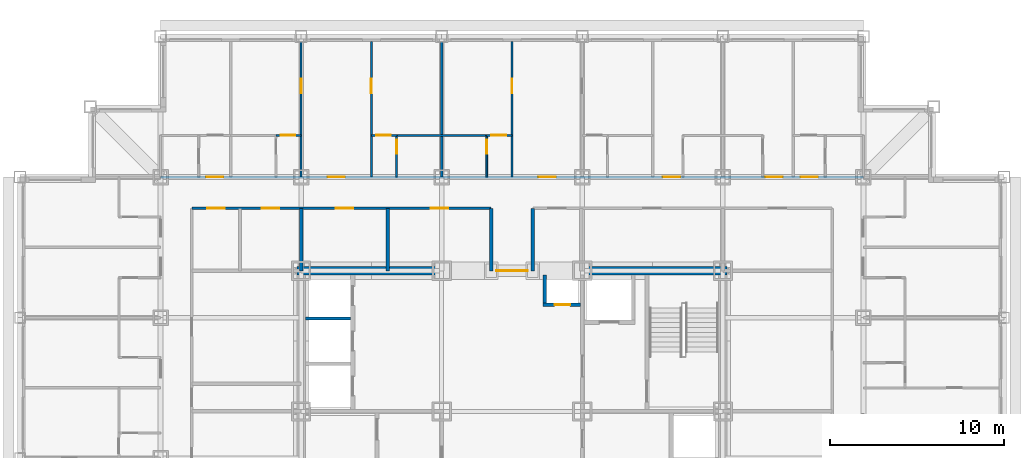
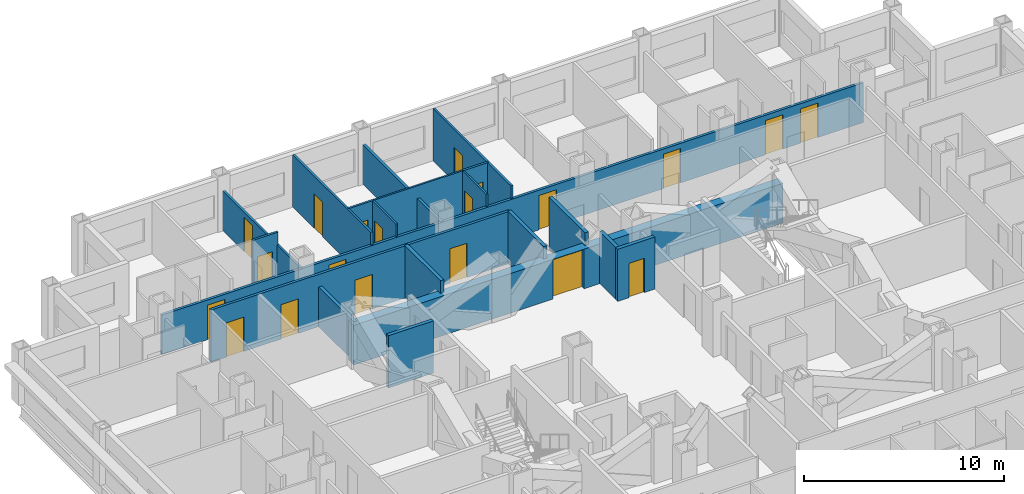
# One storey, part 10 of 14: 20 doors, 20 walls, 20 openings.
"""IFC4 building model written with IfcOpenShell, lengths in metres."""

from ifc_helpers import new_model, si_unit, direction, frame, frame_2d, origin, place, context, subcontext, project, spatial, rectangle, extrude, material, layer, layer_set, type_object, element, fill, save


model = new_model("IFC4")

# Units and contexts
model_context = context("Model", 3, precision=1e-05, world=origin(), true_north=direction((0.0, 1.0)))
body_context = subcontext(model_context, "Body", "Model", "MODEL_VIEW")
ifc_project = project(units=[si_unit("LENGTHUNIT", "METRE"), si_unit("AREAUNIT", "SQUARE_METRE"), si_unit("VOLUMEUNIT", "CUBIC_METRE"), si_unit("PLANEANGLEUNIT", "RADIAN"), si_unit("MASSUNIT", "GRAM", prefix="KILO")], contexts=[model_context])

# Site, building, storey
site_placement = place(None, origin())
site = spatial("IfcSite", under=ifc_project, at=site_placement, CompositionType="ELEMENT")
building_placement = place(site_placement, origin())
building = spatial("IfcBuilding", under=site, at=building_placement, Name="Kopane Lantern Tower", CompositionType="ELEMENT")
storey_placement = place(building_placement, frame((0.0, 0.0, 151.0)))
storey = spatial("IfcBuildingStorey", under=building, at=storey_placement, Name="L39", CompositionType="ELEMENT", Elevation=151.0)

# Wall, opening, door
ifc_material_1 = material(Name="Gypsum board on steel studs", Category="steel")
ifc_layer_1 = layer(ifc_material_1, 0.1201171875)
ifc_layer_set_1 = layer_set([ifc_layer_1], Name="APARTMENT INTERNAL WALL 120")
wall_type_1 = type_object("IfcWallType", Name="APARTMENT INTERNAL WALL 120", PredefinedType="PARTITIONING", material=ifc_layer_set_1)
wall_1_placement = place(storey_placement, frame((16.199951171875, 45.89990234375, 0.0), z_axis=(0.0, 0.0, 1.0), x_axis=(0.0, 1.0, 0.0)))
wall_1 = element("IfcWall", 1, at=wall_1_placement, inside=storey, type_object=wall_type_1, Name="Apartment Internal Wall 120 L39", PredefinedType="PARTITIONING", context=body_context, shape_type="SweptSolid", body=[
    extrude(rectangle(XDim=7.800048828125, YDim=0.1201171875, at=frame_2d((3.89990234375, 0.0))), origin(), (0.0, 0.0, 1.0), 2.420166015625),
])
opening_1_placement = place(wall_1_placement, frame((4.824951171875, 0.0, 0.0)))
opening_1 = element("IfcOpeningElement", 2, at=opening_1_placement, cuts=wall_1, Name="Opening L39-039", PredefinedType="OPENING", context=body_context, shape_type="SweptSolid", body=[
    extrude(rectangle(XDim=0.85009765625, YDim=2.10009765625, at=frame_2d((0.425048828125, 1.050048828125))), frame((0.0, 0.070068359375, 0.0), z_axis=(0.0, -1.0, 0.0), x_axis=(1.0, 0.0, 0.0)), (0.0, 0.0, 1.0), 0.14013671875),
])
ifc_material_2 = material(Name="Timber door set", Category="wood")
door_type_1 = type_object("IfcDoorType", Name="DOOR D4 850x2100", OperationType="SINGLE_SWING_LEFT", PredefinedType="DOOR", material=ifc_material_2)
door_1_placement = place(opening_1_placement, origin())
door_1 = element("IfcDoor", 3, at=door_1_placement, inside=storey, type_object=door_type_1, Name="Door L39-039", OperationType="SINGLE_SWING_LEFT", OverallHeight=2.10009765625, OverallWidth=0.85009765625, PredefinedType="DOOR", context=body_context, shape_type="SweptSolid", body=[
    extrude(rectangle(XDim=0.85009765625, YDim=2.10009765625, at=frame_2d((0.425048828125, 1.050048828125))), frame((0.0, 0.02490234375, 0.0), z_axis=(0.0, -1.0, 0.0), x_axis=(1.0, 0.0, 0.0)), (0.0, 0.0, 1.0), 0.050048828125),
])
fill(opening_1, door_1)

wall_2_placement = place(storey_placement, frame((20.25, 45.89990234375, 0.0), z_axis=(0.0, 0.0, 1.0), x_axis=(0.0, 1.0, 0.0)))
wall_2 = element("IfcWall", 4, at=wall_2_placement, inside=storey, type_object=wall_type_1, Name="Apartment Internal Wall 120 L39", PredefinedType="PARTITIONING", context=body_context, shape_type="SweptSolid", body=[
    extrude(rectangle(XDim=7.800048828125, YDim=0.1201171875, at=frame_2d((3.89990234375, 0.0))), origin(), (0.0, 0.0, 1.0), 3.18994140625),
])
opening_2_placement = place(wall_2_placement, frame((4.824951171875, 0.0, 0.0)))
opening_2 = element("IfcOpeningElement", 5, at=opening_2_placement, cuts=wall_2, Name="Opening L39-041", PredefinedType="OPENING", context=body_context, shape_type="SweptSolid", body=[
    extrude(rectangle(XDim=0.85009765625, YDim=2.10009765625, at=frame_2d((0.425048828125, 1.050048828125))), frame((0.0, 0.070068359375, 0.0), z_axis=(0.0, -1.0, 0.0), x_axis=(1.0, 0.0, 0.0)), (0.0, 0.0, 1.0), 0.14013671875),
])
door_2_placement = place(opening_2_placement, origin())
door_2 = element("IfcDoor", 6, at=door_2_placement, inside=storey, type_object=door_type_1, Name="Door L39-041", OperationType="SINGLE_SWING_RIGHT", OverallHeight=2.10009765625, OverallWidth=0.85009765625, PredefinedType="DOOR", context=body_context, shape_type="SweptSolid", body=[
    extrude(rectangle(XDim=0.85009765625, YDim=2.10009765625, at=frame_2d((0.425048828125, 1.050048828125))), frame((0.0, 0.02490234375, 0.0), z_axis=(0.0, -1.0, 0.0), x_axis=(1.0, 0.0, 0.0)), (0.0, 0.0, 1.0), 0.050048828125),
])
fill(opening_2, door_2)

wall_3_placement = place(storey_placement, frame((28.35009765625, 45.89990234375, 0.0), z_axis=(0.0, 0.0, 1.0), x_axis=(0.0, 1.0, 0.0)))
wall_3 = element("IfcWall", 7, at=wall_3_placement, inside=storey, type_object=wall_type_1, Name="Apartment Internal Wall 120 L39", PredefinedType="PARTITIONING", context=body_context, shape_type="SweptSolid", body=[
    extrude(rectangle(XDim=7.800048828125, YDim=0.1201171875, at=frame_2d((3.89990234375, 0.0))), origin(), (0.0, 0.0, 1.0), 3.18994140625),
])
opening_3_placement = place(wall_3_placement, frame((4.824951171875, 0.0, 0.0)))
opening_3 = element("IfcOpeningElement", 8, at=opening_3_placement, cuts=wall_3, Name="Opening L39-044", PredefinedType="OPENING", context=body_context, shape_type="SweptSolid", body=[
    extrude(rectangle(XDim=0.85009765625, YDim=2.10009765625, at=frame_2d((0.425048828125, 1.050048828125))), frame((0.0, 0.070068359375, 0.0), z_axis=(0.0, -1.0, 0.0), x_axis=(1.0, 0.0, 0.0)), (0.0, 0.0, 1.0), 0.14013671875),
])
door_3_placement = place(opening_3_placement, origin())
door_3 = element("IfcDoor", 9, at=door_3_placement, inside=storey, type_object=door_type_1, Name="Door L39-044", OperationType="SINGLE_SWING_LEFT", OverallHeight=2.10009765625, OverallWidth=0.85009765625, PredefinedType="DOOR", context=body_context, shape_type="SweptSolid", body=[
    extrude(rectangle(XDim=0.85009765625, YDim=2.10009765625, at=frame_2d((0.425048828125, 1.050048828125))), frame((0.0, 0.02490234375, 0.0), z_axis=(0.0, -1.0, 0.0), x_axis=(1.0, 0.0, 0.0)), (0.0, 0.0, 1.0), 0.050048828125),
])
fill(opening_3, door_3)

wall_4_placement = place(storey_placement, frame((14.739990234375, 48.300048828125, 0.0), z_axis=(0.0, 0.0, 1.0), x_axis=(1.0, 0.0, 0.0)))
wall_4 = element("IfcWall", 10, at=wall_4_placement, inside=storey, type_object=wall_type_1, Name="Apartment Internal Wall 120 L39", PredefinedType="PARTITIONING", context=body_context, shape_type="SweptSolid", body=[
    extrude(rectangle(XDim=1.4599609375, YDim=0.1201171875, at=frame_2d((0.72998046875, 0.0))), origin(), (0.0, 0.0, 1.0), 3.18994140625),
])
opening_4_placement = place(wall_4_placement, frame((0.27490234375, 0.0, 0.0)))
opening_4 = element("IfcOpeningElement", 11, at=opening_4_placement, cuts=wall_4, Name="Opening L39-095", PredefinedType="OPENING", context=body_context, shape_type="SweptSolid", body=[
    extrude(rectangle(XDim=0.85009765625, YDim=2.10009765625, at=frame_2d((0.425048828125, 1.050048828125))), frame((0.0, 0.070068359375, 0.0), z_axis=(0.0, -1.0, 0.0), x_axis=(1.0, 0.0, 0.0)), (0.0, 0.0, 1.0), 0.14013671875),
])
door_4_placement = place(opening_4_placement, origin())
door_4 = element("IfcDoor", 12, at=door_4_placement, inside=storey, type_object=door_type_1, Name="Door L39-095", OperationType="SINGLE_SWING_RIGHT", OverallHeight=2.10009765625, OverallWidth=0.85009765625, PredefinedType="DOOR", context=body_context, shape_type="SweptSolid", body=[
    extrude(rectangle(XDim=0.85009765625, YDim=2.10009765625, at=frame_2d((0.425048828125, 1.050048828125))), frame((0.0, 0.02490234375, 0.0), z_axis=(0.0, -1.0, 0.0), x_axis=(1.0, 0.0, 0.0)), (0.0, 0.0, 1.0), 0.050048828125),
])
fill(opening_4, door_4)

wall_5_placement = place(storey_placement, frame((20.25, 48.300048828125, 0.0), z_axis=(0.0, 0.0, 1.0), x_axis=(1.0, 0.0, 0.0)))
wall_5 = element("IfcWall", 13, at=wall_5_placement, inside=storey, type_object=wall_type_1, Name="Apartment Internal Wall 120 L39", PredefinedType="PARTITIONING", context=body_context, shape_type="SweptSolid", body=[
    extrude(rectangle(XDim=1.4599609375, YDim=0.1201171875, at=frame_2d((0.72998046875, 0.0))), origin(), (0.0, 0.0, 1.0), 3.18994140625),
])
opening_5_placement = place(wall_5_placement, frame((0.27490234375, 0.0, 0.0)))
opening_5 = element("IfcOpeningElement", 14, at=opening_5_placement, cuts=wall_5, Name="Opening L39-096", PredefinedType="OPENING", context=body_context, shape_type="SweptSolid", body=[
    extrude(rectangle(XDim=0.85009765625, YDim=2.10009765625, at=frame_2d((0.425048828125, 1.050048828125))), frame((0.0, 0.070068359375, 0.0), z_axis=(0.0, -1.0, 0.0), x_axis=(1.0, 0.0, 0.0)), (0.0, 0.0, 1.0), 0.14013671875),
])
door_5_placement = place(opening_5_placement, origin())
door_5 = element("IfcDoor", 15, at=door_5_placement, inside=storey, type_object=door_type_1, Name="Door L39-096", OperationType="SINGLE_SWING_LEFT", OverallHeight=2.10009765625, OverallWidth=0.85009765625, PredefinedType="DOOR", context=body_context, shape_type="SweptSolid", body=[
    extrude(rectangle(XDim=0.85009765625, YDim=2.10009765625, at=frame_2d((0.425048828125, 1.050048828125))), frame((0.0, 0.02490234375, 0.0), z_axis=(0.0, -1.0, 0.0), x_axis=(1.0, 0.0, 0.0)), (0.0, 0.0, 1.0), 0.050048828125),
])
fill(opening_5, door_5)

wall_6_placement = place(storey_placement, frame((26.889892578125, 48.300048828125, 0.0), z_axis=(0.0, 0.0, 1.0), x_axis=(1.0, 0.0, 0.0)))
wall_6 = element("IfcWall", 16, at=wall_6_placement, inside=storey, type_object=wall_type_1, Name="Apartment Internal Wall 120 L39", PredefinedType="PARTITIONING", context=body_context, shape_type="SweptSolid", body=[
    extrude(rectangle(XDim=1.460205078125, YDim=0.1201171875, at=frame_2d((0.72998046875, 0.0))), origin(), (0.0, 0.0, 1.0), 3.18994140625),
])
opening_6_placement = place(wall_6_placement, frame((0.27490234375, 0.0, 0.0)))
opening_6 = element("IfcOpeningElement", 17, at=opening_6_placement, cuts=wall_6, Name="Opening L39-097", PredefinedType="OPENING", context=body_context, shape_type="SweptSolid", body=[
    extrude(rectangle(XDim=0.85009765625, YDim=2.10009765625, at=frame_2d((0.425048828125, 1.050048828125))), frame((0.0, 0.070068359375, 0.0), z_axis=(0.0, -1.0, 0.0), x_axis=(1.0, 0.0, 0.0)), (0.0, 0.0, 1.0), 0.14013671875),
])
door_6_placement = place(opening_6_placement, origin())
door_6 = element("IfcDoor", 18, at=door_6_placement, inside=storey, type_object=door_type_1, Name="Door L39-097", OperationType="SINGLE_SWING_RIGHT", OverallHeight=2.10009765625, OverallWidth=0.85009765625, PredefinedType="DOOR", context=body_context, shape_type="SweptSolid", body=[
    extrude(rectangle(XDim=0.85009765625, YDim=2.10009765625, at=frame_2d((0.425048828125, 1.050048828125))), frame((0.0, 0.02490234375, 0.0), z_axis=(0.0, -1.0, 0.0), x_axis=(1.0, 0.0, 0.0)), (0.0, 0.0, 1.0), 0.050048828125),
])
fill(opening_6, door_6)

# Wall
ifc_material_3 = material(Name="Moisture-resistant board on steel studs", Category="steel")
ifc_layer_2 = layer(ifc_material_3, 0.10009765625)
ifc_layer_set_2 = layer_set([ifc_layer_2], Name="BATHROOM WALL 100")
wall_type_2 = type_object("IfcWallType", Name="BATHROOM WALL 100", PredefinedType="PARTITIONING", material=ifc_layer_set_2)
wall_7_placement = place(storey_placement, frame((21.699951171875, 48.300048828125, 0.0), z_axis=(0.0, 0.0, 1.0), x_axis=(1.0, 0.0, 0.0)))
element("IfcWall", 19, at=wall_7_placement, inside=storey, type_object=wall_type_2, Name="Bathroom Wall 100 L39", PredefinedType="PARTITIONING", context=body_context, shape_type="SweptSolid", body=[
    extrude(rectangle(XDim=5.199951171875, YDim=0.10009765625, at=frame_2d((2.60009765625, 0.0))), origin(), (0.0, 0.0, 1.0), 3.18994140625),
])

# Wall, opening, door
wall_8_placement = place(storey_placement, frame((21.699951171875, 45.89990234375, 0.0), z_axis=(0.0, 0.0, 1.0), x_axis=(0.0, 1.0, 0.0)))
wall_8 = element("IfcWall", 20, at=wall_8_placement, inside=storey, type_object=wall_type_2, Name="Bathroom Wall 100 L39", PredefinedType="PARTITIONING", context=body_context, shape_type="SweptSolid", body=[
    extrude(rectangle(XDim=2.400146484375, YDim=0.10009765625, at=frame_2d((1.2001953125, 0.0))), origin(), (0.0, 0.0, 1.0), 3.18994140625),
])
opening_7_placement = place(wall_8_placement, frame((1.35009765625, 0.0, 0.0)))
opening_7 = element("IfcOpeningElement", 21, at=opening_7_placement, cuts=wall_8, Name="Opening L39-040", PredefinedType="OPENING", context=body_context, shape_type="SweptSolid", body=[
    extrude(rectangle(XDim=0.800048828125, YDim=2.10009765625, at=frame_2d((0.39990234375, 1.050048828125))), frame((0.0, 0.06005859375, 0.0), z_axis=(0.0, -1.0, 0.0), x_axis=(1.0, 0.0, 0.0)), (0.0, 0.0, 1.0), 0.1201171875),
])
ifc_material_4 = material(Name="Timber door set", Category="wood")
door_type_2 = type_object("IfcDoorType", Name="DOOR D2 800x2100", OperationType="SINGLE_SWING_LEFT", PredefinedType="DOOR", material=ifc_material_4)
door_7_placement = place(opening_7_placement, origin())
door_7 = element("IfcDoor", 22, at=door_7_placement, inside=storey, type_object=door_type_2, Name="Door L39-040", OperationType="SINGLE_SWING_RIGHT", OverallHeight=2.10009765625, OverallWidth=0.800048828125, PredefinedType="DOOR", context=body_context, shape_type="SweptSolid", body=[
    extrude(rectangle(XDim=0.800048828125, YDim=2.10009765625, at=frame_2d((0.39990234375, 1.050048828125))), frame((0.0, 0.02490234375, 0.0), z_axis=(0.0, -1.0, 0.0), x_axis=(1.0, 0.0, 0.0)), (0.0, 0.0, 1.0), 0.050048828125),
])
fill(opening_7, door_7)

wall_9_placement = place(storey_placement, frame((26.89990234375, 45.89990234375, 0.0), z_axis=(0.0, 0.0, 1.0), x_axis=(0.0, 1.0, 0.0)))
wall_9 = element("IfcWall", 23, at=wall_9_placement, inside=storey, type_object=wall_type_2, Name="Bathroom Wall 100 L39", PredefinedType="PARTITIONING", context=body_context, shape_type="SweptSolid", body=[
    extrude(rectangle(XDim=2.400146484375, YDim=0.10009765625, at=frame_2d((1.2001953125, 0.0))), origin(), (0.0, 0.0, 1.0), 3.18994140625),
])
opening_8_placement = place(wall_9_placement, frame((1.35009765625, 0.0, 0.0)))
opening_8 = element("IfcOpeningElement", 24, at=opening_8_placement, cuts=wall_9, Name="Opening L39-043", PredefinedType="OPENING", context=body_context, shape_type="SweptSolid", body=[
    extrude(rectangle(XDim=0.800048828125, YDim=2.10009765625, at=frame_2d((0.39990234375, 1.050048828125))), frame((0.0, 0.06005859375, 0.0), z_axis=(0.0, -1.0, 0.0), x_axis=(1.0, 0.0, 0.0)), (0.0, 0.0, 1.0), 0.1201171875),
])
door_8_placement = place(opening_8_placement, origin())
door_8 = element("IfcDoor", 25, at=door_8_placement, inside=storey, type_object=door_type_2, Name="Door L39-043", OperationType="SINGLE_SWING_LEFT", OverallHeight=2.10009765625, OverallWidth=0.800048828125, PredefinedType="DOOR", context=body_context, shape_type="SweptSolid", body=[
    extrude(rectangle(XDim=0.800048828125, YDim=2.10009765625, at=frame_2d((0.39990234375, 1.050048828125))), frame((0.0, 0.02490234375, 0.0), z_axis=(0.0, -1.0, 0.0), x_axis=(1.0, 0.0, 0.0)), (0.0, 0.0, 1.0), 0.050048828125),
])
fill(opening_8, door_8)

ifc_material_5 = material(Name="Gypsum shaft wall EI 120", Category="gypsum")
ifc_layer_3 = layer(ifc_material_5, 0.5)
ifc_layer_set_3 = layer_set([ifc_layer_3], Name="CORE PERIMETER WALL 500 EI 120")
wall_type_3 = type_object("IfcWallType", Name="CORE PERIMETER WALL 500 EI 120", PredefinedType="SOLIDWALL", material=ifc_layer_set_3)
wall_10_placement = place(storey_placement, frame((15.949951171875, 40.5, 0.0), z_axis=(0.0, 0.0, 1.0), x_axis=(1.0, 0.0, 0.0)))
wall_10 = element("IfcWall", 26, at=wall_10_placement, inside=storey, type_object=wall_type_3, Name="Core shaft wall L39 PN", PredefinedType="SOLIDWALL", context=body_context, shape_type="SweptSolid", body=[
    extrude(rectangle(XDim=24.800048828125, YDim=0.5, at=frame_2d((12.39990234375, 0.0))), origin(), (0.0, 0.0, 1.0), 2.420166015625),
])
opening_9_placement = place(wall_10_placement, frame((11.5, 0.0, 0.0)))
opening_9 = element("IfcOpeningElement", 27, at=opening_9_placement, cuts=wall_10, Name="Opening 39.CE-N", PredefinedType="OPENING", context=body_context, shape_type="SweptSolid", body=[
    extrude(rectangle(XDim=1.800048828125, YDim=2.39990234375, at=frame_2d((0.89990234375, 1.199951171875))), frame((0.0, 0.260009765625, 0.0), z_axis=(0.0, -1.0, 0.0), x_axis=(1.0, 0.0, 0.0)), (0.0, 0.0, 1.0), 0.52001953125),
])
ifc_material_6 = material(Name="Steel door set", Category="steel")
door_type_3 = type_object("IfcDoorType", Name="CORE ENTRY DOOR 1800x2400 FD60S", OperationType="DOUBLE_DOOR_SINGLE_SWING", PredefinedType="DOOR", material=ifc_material_6)
door_9_placement = place(opening_9_placement, origin())
door_9 = element("IfcDoor", 28, at=door_9_placement, inside=storey, type_object=door_type_3, Name="Core entry door L39 north", OperationType="DOUBLE_DOOR_SINGLE_SWING", OverallHeight=2.39990234375, OverallWidth=1.800048828125, PredefinedType="DOOR", context=body_context, shape_type="SweptSolid", body=[
    extrude(rectangle(XDim=1.800048828125, YDim=2.39990234375, at=frame_2d((0.89990234375, 1.199951171875))), frame((0.0, 0.02490234375, 0.0), z_axis=(0.0, -1.0, 0.0), x_axis=(1.0, 0.0, 0.0)), (0.0, 0.0, 1.0), 0.050048828125),
])
fill(opening_9, door_9)

# Wall, openings, doors
ifc_material_7 = material(Name="Gypsum board on steel studs", Category="steel")
ifc_layer_4 = layer(ifc_material_7, 0.14990234375)
ifc_layer_set_4 = layer_set([ifc_layer_4], Name="CORRIDOR WALL 150 EI 60")
wall_type_4 = type_object("IfcWallType", Name="CORRIDOR WALL 150 EI 60", PredefinedType="PARTITIONING", material=ifc_layer_set_4)
wall_11_placement = place(storey_placement, frame((8.10009765625, 45.89990234375, 0.0), z_axis=(0.0, 0.0, 1.0), x_axis=(1.0, 0.0, 0.0)))
wall_11 = element("IfcWall", 29, at=wall_11_placement, inside=storey, type_object=wall_type_4, Name="Corridor Wall 150 Ei 60 L39", PredefinedType="PARTITIONING", context=body_context, shape_type="SweptSolid", body=[
    extrude(rectangle(XDim=40.5, YDim=0.14990234375, at=frame_2d((20.25, 0.0))), origin(), (0.0, 0.0, 1.0), 2.420166015625),
])
opening_10_placement = place(wall_11_placement, frame((9.625, 0.0, 0.0)))
opening_10 = element("IfcOpeningElement", 30, at=opening_10_placement, cuts=wall_11, Name="Opening L39-037", PredefinedType="OPENING", context=body_context, shape_type="SweptSolid", body=[
    extrude(rectangle(XDim=1.0, YDim=2.10009765625, at=frame_2d((0.5, 1.050048828125))), frame((0.0, 0.0849609375, 0.0), z_axis=(0.0, -1.0, 0.0), x_axis=(1.0, 0.0, 0.0)), (0.0, 0.0, 1.0), 0.169921875),
])
opening_11_placement = place(wall_11_placement, frame((21.77490234375, 0.0, 0.0)))
opening_11 = element("IfcOpeningElement", 31, at=opening_11_placement, cuts=wall_11, Name="Opening L39-042", PredefinedType="OPENING", context=body_context, shape_type="SweptSolid", body=[
    extrude(rectangle(XDim=1.0, YDim=2.10009765625, at=frame_2d((0.5, 1.050048828125))), frame((0.0, 0.0849609375, 0.0), z_axis=(0.0, -1.0, 0.0), x_axis=(1.0, 0.0, 0.0)), (0.0, 0.0, 1.0), 0.169921875),
])
opening_12_placement = place(wall_11_placement, frame((28.949951171875, 0.0, 0.0)))
opening_12 = element("IfcOpeningElement", 32, at=opening_12_placement, cuts=wall_11, Name="Opening L39-048", PredefinedType="OPENING", context=body_context, shape_type="SweptSolid", body=[
    extrude(rectangle(XDim=1.0, YDim=2.10009765625, at=frame_2d((0.5, 1.050048828125))), frame((0.0, 0.0849609375, 0.0), z_axis=(0.0, -1.0, 0.0), x_axis=(1.0, 0.0, 0.0)), (0.0, 0.0, 1.0), 0.169921875),
])
opening_13_placement = place(wall_11_placement, frame((34.85009765625, 0.0, 0.0)))
opening_13 = element("IfcOpeningElement", 33, at=opening_13_placement, cuts=wall_11, Name="Opening L39-050", PredefinedType="OPENING", context=body_context, shape_type="SweptSolid", body=[
    extrude(rectangle(XDim=1.0, YDim=2.10009765625, at=frame_2d((0.5, 1.050048828125))), frame((0.0, 0.0849609375, 0.0), z_axis=(0.0, -1.0, 0.0), x_axis=(1.0, 0.0, 0.0)), (0.0, 0.0, 1.0), 0.169921875),
])
opening_14_placement = place(wall_11_placement, frame((36.875, 0.0, 0.0)))
opening_14 = element("IfcOpeningElement", 34, at=opening_14_placement, cuts=wall_11, Name="Opening L39-087", PredefinedType="OPENING", context=body_context, shape_type="SweptSolid", body=[
    extrude(rectangle(XDim=1.0, YDim=2.10009765625, at=frame_2d((0.5, 1.050048828125))), frame((0.0, 0.0849609375, 0.0), z_axis=(0.0, -1.0, 0.0), x_axis=(1.0, 0.0, 0.0)), (0.0, 0.0, 1.0), 0.169921875),
])
opening_15_placement = place(wall_11_placement, frame((2.625, 0.0, 0.0)))
opening_15 = element("IfcOpeningElement", 35, at=opening_15_placement, cuts=wall_11, Name="Opening L39-090", PredefinedType="OPENING", context=body_context, shape_type="SweptSolid", body=[
    extrude(rectangle(XDim=1.0, YDim=2.10009765625, at=frame_2d((0.5, 1.050048828125))), frame((0.0, 0.0849609375, 0.0), z_axis=(0.0, -1.0, 0.0), x_axis=(1.0, 0.0, 0.0)), (0.0, 0.0, 1.0), 0.169921875),
])
ifc_material_8 = material(Name="Steel door set", Category="steel")
door_type_4 = type_object("IfcDoorType", Name="DOOR D1 1000x2100 FD30S", OperationType="SINGLE_SWING_LEFT", PredefinedType="DOOR", material=ifc_material_8)
door_10_placement = place(opening_10_placement, origin())
door_10 = element("IfcDoor", 36, at=door_10_placement, inside=storey, type_object=door_type_4, Name="Door L39-037", OperationType="SINGLE_SWING_RIGHT", OverallHeight=2.10009765625, OverallWidth=1.0, PredefinedType="DOOR", context=body_context, shape_type="SweptSolid", body=[
    extrude(rectangle(XDim=1.0, YDim=2.10009765625, at=frame_2d((0.5, 1.050048828125))), frame((0.0, 0.02490234375, 0.0), z_axis=(0.0, -1.0, 0.0), x_axis=(1.0, 0.0, 0.0)), (0.0, 0.0, 1.0), 0.050048828125),
])
fill(opening_10, door_10)
door_11_placement = place(opening_11_placement, origin())
door_11 = element("IfcDoor", 37, at=door_11_placement, inside=storey, type_object=door_type_4, Name="Door L39-042", OperationType="SINGLE_SWING_LEFT", OverallHeight=2.10009765625, OverallWidth=1.0, PredefinedType="DOOR", context=body_context, shape_type="SweptSolid", body=[
    extrude(rectangle(XDim=1.0, YDim=2.10009765625, at=frame_2d((0.5, 1.050048828125))), frame((0.0, 0.02490234375, 0.0), z_axis=(0.0, -1.0, 0.0), x_axis=(1.0, 0.0, 0.0)), (0.0, 0.0, 1.0), 0.050048828125),
])
fill(opening_11, door_11)
door_12_placement = place(opening_12_placement, origin())
door_12 = element("IfcDoor", 38, at=door_12_placement, inside=storey, type_object=door_type_4, Name="Door L39-048", OperationType="SINGLE_SWING_RIGHT", OverallHeight=2.10009765625, OverallWidth=1.0, PredefinedType="DOOR", context=body_context, shape_type="SweptSolid", body=[
    extrude(rectangle(XDim=1.0, YDim=2.10009765625, at=frame_2d((0.5, 1.050048828125))), frame((0.0, 0.02490234375, 0.0), z_axis=(0.0, -1.0, 0.0), x_axis=(1.0, 0.0, 0.0)), (0.0, 0.0, 1.0), 0.050048828125),
])
fill(opening_12, door_12)
door_13_placement = place(opening_13_placement, origin())
door_13 = element("IfcDoor", 39, at=door_13_placement, inside=storey, type_object=door_type_4, Name="Door L39-050", OperationType="SINGLE_SWING_LEFT", OverallHeight=2.10009765625, OverallWidth=1.0, PredefinedType="DOOR", context=body_context, shape_type="SweptSolid", body=[
    extrude(rectangle(XDim=1.0, YDim=2.10009765625, at=frame_2d((0.5, 1.050048828125))), frame((0.0, 0.02490234375, 0.0), z_axis=(0.0, -1.0, 0.0), x_axis=(1.0, 0.0, 0.0)), (0.0, 0.0, 1.0), 0.050048828125),
])
fill(opening_13, door_13)
door_14_placement = place(opening_14_placement, origin())
door_14 = element("IfcDoor", 40, at=door_14_placement, inside=storey, type_object=door_type_4, Name="Door L39-087", OperationType="SINGLE_SWING_RIGHT", OverallHeight=2.10009765625, OverallWidth=1.0, PredefinedType="DOOR", context=body_context, shape_type="SweptSolid", body=[
    extrude(rectangle(XDim=1.0, YDim=2.10009765625, at=frame_2d((0.5, 1.050048828125))), frame((0.0, 0.02490234375, 0.0), z_axis=(0.0, -1.0, 0.0), x_axis=(1.0, 0.0, 0.0)), (0.0, 0.0, 1.0), 0.050048828125),
])
fill(opening_14, door_14)
door_15_placement = place(opening_15_placement, origin())
door_15 = element("IfcDoor", 41, at=door_15_placement, inside=storey, type_object=door_type_4, Name="Door L39-090", OperationType="SINGLE_SWING_LEFT", OverallHeight=2.10009765625, OverallWidth=1.0, PredefinedType="DOOR", context=body_context, shape_type="SweptSolid", body=[
    extrude(rectangle(XDim=1.0, YDim=2.10009765625, at=frame_2d((0.5, 1.050048828125))), frame((0.0, 0.02490234375, 0.0), z_axis=(0.0, -1.0, 0.0), x_axis=(1.0, 0.0, 0.0)), (0.0, 0.0, 1.0), 0.050048828125),
])
fill(opening_15, door_15)

wall_12_placement = place(storey_placement, frame((27.139892578125, 44.10009765625, 0.0), z_axis=(0.0, 0.0, 1.0), x_axis=(-1.0, 0.0, 0.0)))
wall_12 = element("IfcWall", 42, at=wall_12_placement, inside=storey, type_object=wall_type_4, Name="Corridor Wall 150 Ei 60 L39", PredefinedType="PARTITIONING", context=body_context, shape_type="SweptSolid", body=[
    extrude(rectangle(XDim=17.239990234375, YDim=0.14990234375, at=frame_2d((8.6201171875, 0.0))), origin(), (0.0, 0.0, 1.0), 3.18994140625),
])
opening_16_placement = place(wall_12_placement, frame((15.35107421875, 0.0, 0.0)))
opening_16 = element("IfcOpeningElement", 43, at=opening_16_placement, cuts=wall_12, Name="Opening L39-016", PredefinedType="OPENING", context=body_context, shape_type="SweptSolid", body=[
    extrude(rectangle(XDim=1.0, YDim=2.10009765625, at=frame_2d((0.5, 1.050048828125))), frame((0.0, 0.0849609375, 0.0), z_axis=(0.0, -1.0, 0.0), x_axis=(1.0, 0.0, 0.0)), (0.0, 0.0, 1.0), 0.169921875),
])
opening_17_placement = place(wall_12_placement, frame((12.201171875, 0.0, 0.0)))
opening_17 = element("IfcOpeningElement", 44, at=opening_17_placement, cuts=wall_12, Name="Opening L39-017", PredefinedType="OPENING", context=body_context, shape_type="SweptSolid", body=[
    extrude(rectangle(XDim=1.0, YDim=2.10009765625, at=frame_2d((0.5, 1.050048828125))), frame((0.0, 0.0849609375, 0.0), z_axis=(0.0, -1.0, 0.0), x_axis=(1.0, 0.0, 0.0)), (0.0, 0.0, 1.0), 0.169921875),
])
opening_18_placement = place(wall_12_placement, frame((7.93994140625, 0.0, 0.0)))
opening_18 = element("IfcOpeningElement", 45, at=opening_18_placement, cuts=wall_12, Name="Opening L39-018", PredefinedType="OPENING", context=body_context, shape_type="SweptSolid", body=[
    extrude(rectangle(XDim=1.0, YDim=2.10009765625, at=frame_2d((0.5, 1.050048828125))), frame((0.0, 0.0849609375, 0.0), z_axis=(0.0, -1.0, 0.0), x_axis=(1.0, 0.0, 0.0)), (0.0, 0.0, 1.0), 0.169921875),
])
opening_19_placement = place(wall_12_placement, frame((2.465087890625, 0.0, 0.0)))
opening_19 = element("IfcOpeningElement", 46, at=opening_19_placement, cuts=wall_12, Name="Opening L39-019", PredefinedType="OPENING", context=body_context, shape_type="SweptSolid", body=[
    extrude(rectangle(XDim=1.0, YDim=2.10009765625, at=frame_2d((0.5, 1.050048828125))), frame((0.0, 0.0849609375, 0.0), z_axis=(0.0, -1.0, 0.0), x_axis=(1.0, 0.0, 0.0)), (0.0, 0.0, 1.0), 0.169921875),
])
ifc_material_9 = material(Name="Steel door set", Category="steel")
door_type_5 = type_object("IfcDoorType", Name="DOOR D5 1000x2100 FD60", OperationType="SINGLE_SWING_LEFT", PredefinedType="DOOR", material=ifc_material_9)
door_16_placement = place(opening_16_placement, origin())
door_16 = element("IfcDoor", 47, at=door_16_placement, inside=storey, type_object=door_type_5, Name="Door L39-016", OperationType="SINGLE_SWING_RIGHT", OverallHeight=2.10009765625, OverallWidth=1.0, PredefinedType="DOOR", context=body_context, shape_type="SweptSolid", body=[
    extrude(rectangle(XDim=1.0, YDim=2.10009765625, at=frame_2d((0.5, 1.050048828125))), frame((0.0, 0.02490234375, 0.0), z_axis=(0.0, -1.0, 0.0), x_axis=(1.0, 0.0, 0.0)), (0.0, 0.0, 1.0), 0.050048828125),
])
fill(opening_16, door_16)
door_17_placement = place(opening_17_placement, origin())
door_17 = element("IfcDoor", 48, at=door_17_placement, inside=storey, type_object=door_type_5, Name="Door L39-017", OperationType="SINGLE_SWING_LEFT", OverallHeight=2.10009765625, OverallWidth=1.0, PredefinedType="DOOR", context=body_context, shape_type="SweptSolid", body=[
    extrude(rectangle(XDim=1.0, YDim=2.10009765625, at=frame_2d((0.5, 1.050048828125))), frame((0.0, 0.02490234375, 0.0), z_axis=(0.0, -1.0, 0.0), x_axis=(1.0, 0.0, 0.0)), (0.0, 0.0, 1.0), 0.050048828125),
])
fill(opening_17, door_17)
door_18_placement = place(opening_18_placement, origin())
door_18 = element("IfcDoor", 49, at=door_18_placement, inside=storey, type_object=door_type_5, Name="Door L39-018", OperationType="SINGLE_SWING_RIGHT", OverallHeight=2.10009765625, OverallWidth=1.0, PredefinedType="DOOR", context=body_context, shape_type="SweptSolid", body=[
    extrude(rectangle(XDim=1.0, YDim=2.10009765625, at=frame_2d((0.5, 1.050048828125))), frame((0.0, 0.02490234375, 0.0), z_axis=(0.0, -1.0, 0.0), x_axis=(1.0, 0.0, 0.0)), (0.0, 0.0, 1.0), 0.050048828125),
])
fill(opening_18, door_18)
door_19_placement = place(opening_19_placement, origin())
door_19 = element("IfcDoor", 50, at=door_19_placement, inside=storey, type_object=door_type_5, Name="Door L39-019", OperationType="SINGLE_SWING_LEFT", OverallHeight=2.10009765625, OverallWidth=1.0, PredefinedType="DOOR", context=body_context, shape_type="SweptSolid", body=[
    extrude(rectangle(XDim=1.0, YDim=2.10009765625, at=frame_2d((0.5, 1.050048828125))), frame((0.0, 0.02490234375, 0.0), z_axis=(0.0, -1.0, 0.0), x_axis=(1.0, 0.0, 0.0)), (0.0, 0.0, 1.0), 0.050048828125),
])
fill(opening_19, door_19)

# Walls
ifc_material_10 = material(Name="Gypsum board on steel studs", Category="steel")
ifc_layer_5 = layer(ifc_material_10, 0.14990234375)
ifc_layer_set_5 = layer_set([ifc_layer_5], Name="DEMISING WALL 150 EI 60")
wall_type_5 = type_object("IfcWallType", Name="DEMISING WALL 150 EI 60", PredefinedType="PARTITIONING", material=ifc_layer_set_5)
wall_13_placement = place(storey_placement, frame((24.300048828125, 45.89990234375, 0.0), z_axis=(0.0, 0.0, 1.0), x_axis=(0.0, 1.0, 0.0)))
element("IfcWall", 51, at=wall_13_placement, inside=storey, type_object=wall_type_5, Name="Demising Wall 150 Ei 60 L39", PredefinedType="PARTITIONING", context=body_context, shape_type="SweptSolid", body=[
    extrude(rectangle(XDim=7.800048828125, YDim=0.14990234375, at=frame_2d((3.89990234375, 0.0))), origin(), (0.0, 0.0, 1.0), 2.420166015625),
])
ifc_material_11 = material(Name="Concrete masonry", Category="masonry")
ifc_layer_6 = layer(ifc_material_11, 0.199951171875)
ifc_layer_set_6 = layer_set([ifc_layer_6], Name="PLANT ROOM WALL 200 EI 120")
wall_type_6 = type_object("IfcWallType", Name="PLANT ROOM WALL 200 EI 120", PredefinedType="SOLIDWALL", material=ifc_layer_set_6)
wall_14_placement = place(storey_placement, frame((16.199951171875, 40.5, 0.0), z_axis=(0.0, 0.0, 1.0), x_axis=(0.0, 1.0, 0.0)))
element("IfcWall", 52, at=wall_14_placement, inside=storey, type_object=wall_type_6, Name="Plant Room Wall 200 Ei 120 L39", PredefinedType="SOLIDWALL", context=body_context, shape_type="SweptSolid", body=[
    extrude(rectangle(XDim=3.60009765625, YDim=0.199951171875, at=frame_2d((1.800048828125, 0.0))), origin(), (0.0, 0.0, 1.0), 2.420166015625),
])
for number, where, z_axis, x_axis, name in (
    (53, (21.199951171875, 44.10009765625, 0.0), (0.0, 0.0, 1.0), (0.0, -1.0, 0.0), "Plant Room Wall 200 Ei 120 L39"),
    (54, (27.14990234375, 40.5, 0.0), (0.0, 0.0, 1.0), (0.0, 1.0, 0.0), "Plant Room Wall 200 Ei 120 L39"),
    (55, (29.550048828125, 40.5, 0.0), (0.0, 0.0, 1.0), (0.0, 1.0, 0.0), "Plant Room Wall 200 Ei 120 L39"),
):
    element("IfcWall", number, at=place(storey_placement, frame(where, z_axis=z_axis, x_axis=x_axis)), inside=storey, type_object=wall_type_6, Name=name, PredefinedType="SOLIDWALL", context=body_context, shape_type="SweptSolid", body=[
        extrude(rectangle(XDim=3.60009765625, YDim=0.199951171875, at=frame_2d((1.800048828125, 0.0))), origin(), (0.0, 0.0, 1.0), 3.18994140625),
    ])
ifc_material_12 = material(Name="Gypsum shaft wall EI 120", Category="gypsum")
ifc_layer_7 = layer(ifc_material_12, 0.199951171875)
ifc_layer_set_7 = layer_set([ifc_layer_7], Name="SHAFT WALL 200 EI 120")
wall_type_7 = type_object("IfcWallType", Name="SHAFT WALL 200 EI 120", PredefinedType="SOLIDWALL", material=ifc_layer_set_7)
wall_15_placement = place(storey_placement, frame((16.449951171875, 37.75, 0.0), z_axis=(0.0, 0.0, 1.0), x_axis=(1.0, 0.0, 0.0)))
element("IfcWall", 56, at=wall_15_placement, inside=storey, type_object=wall_type_7, Name="Core shaft wall L39 YLH23", PredefinedType="SOLIDWALL", context=body_context, shape_type="SweptSolid", body=[
    extrude(rectangle(XDim=2.60009765625, YDim=0.199951171875, at=frame_2d((1.300048828125, 0.0))), origin(), (0.0, 0.0, 1.0), 3.18994140625),
])
wall_16_placement = place(storey_placement, frame((30.25, 38.64990234375, 0.0), z_axis=(0.0, 0.0, 1.0), x_axis=(0.0, 1.0, 0.0)))
element("IfcWall", 57, at=wall_16_placement, inside=storey, type_object=wall_type_7, Name="Core shaft wall L39 XRS2", PredefinedType="SOLIDWALL", context=body_context, shape_type="SweptSolid", body=[
    extrude(rectangle(XDim=1.60009765625, YDim=0.199951171875, at=frame_2d((0.800048828125, 0.0))), origin(), (0.0, 0.0, 1.0), 3.18994140625),
])

# Wall, opening, door
wall_17_placement = place(storey_placement, frame((30.14990234375, 38.550048828125, 0.0), z_axis=(0.0, 0.0, 1.0), x_axis=(1.0, 0.0, 0.0)))
wall_17 = element("IfcWall", 58, at=wall_17_placement, inside=storey, type_object=wall_type_7, Name="Core shaft wall L39 YRS2", PredefinedType="SOLIDWALL", context=body_context, shape_type="SweptSolid", body=[
    extrude(rectangle(XDim=2.150146484375, YDim=0.199951171875, at=frame_2d((1.0751953125, 0.0))), origin(), (0.0, 0.0, 1.0), 3.18994140625),
])
opening_20_placement = place(wall_17_placement, frame((0.64990234375, 0.0, 0.0)))
opening_20 = element("IfcOpeningElement", 59, at=opening_20_placement, cuts=wall_17, Name="Opening 39.RS2", PredefinedType="OPENING", context=body_context, shape_type="SweptSolid", body=[
    extrude(rectangle(XDim=0.89990234375, YDim=2.10009765625, at=frame_2d((0.449951171875, 1.050048828125))), frame((0.0, 0.10986328125, 0.0), z_axis=(0.0, -1.0, 0.0), x_axis=(1.0, 0.0, 0.0)), (0.0, 0.0, 1.0), 0.219970703125),
])
ifc_material_13 = material(Name="Steel door set", Category="steel")
door_type_6 = type_object("IfcDoorType", Name="RISER ACCESS DOOR 900x2100 FD60", OperationType="SINGLE_SWING_LEFT", PredefinedType="DOOR", material=ifc_material_13)
door_20_placement = place(opening_20_placement, origin())
door_20 = element("IfcDoor", 60, at=door_20_placement, inside=storey, type_object=door_type_6, Name="Riser access door RS2 L39", OperationType="SINGLE_SWING_LEFT", OverallHeight=2.10009765625, OverallWidth=0.89990234375, PredefinedType="DOOR", context=body_context, shape_type="SweptSolid", body=[
    extrude(rectangle(XDim=0.89990234375, YDim=2.10009765625, at=frame_2d((0.449951171875, 1.050048828125))), frame((0.0, 0.02490234375, 0.0), z_axis=(0.0, -1.0, 0.0), x_axis=(1.0, 0.0, 0.0)), (0.0, 0.0, 1.0), 0.050048828125),
])
fill(opening_20, door_20)

save(model, "model.ifc")
